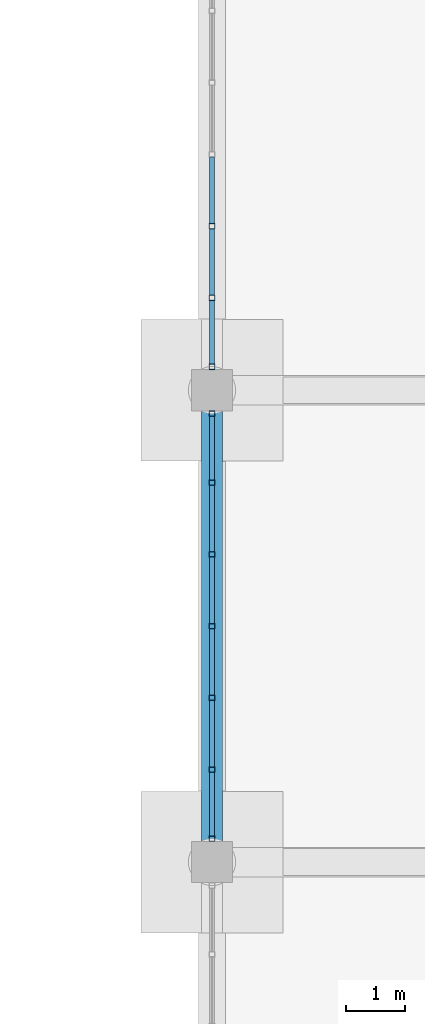
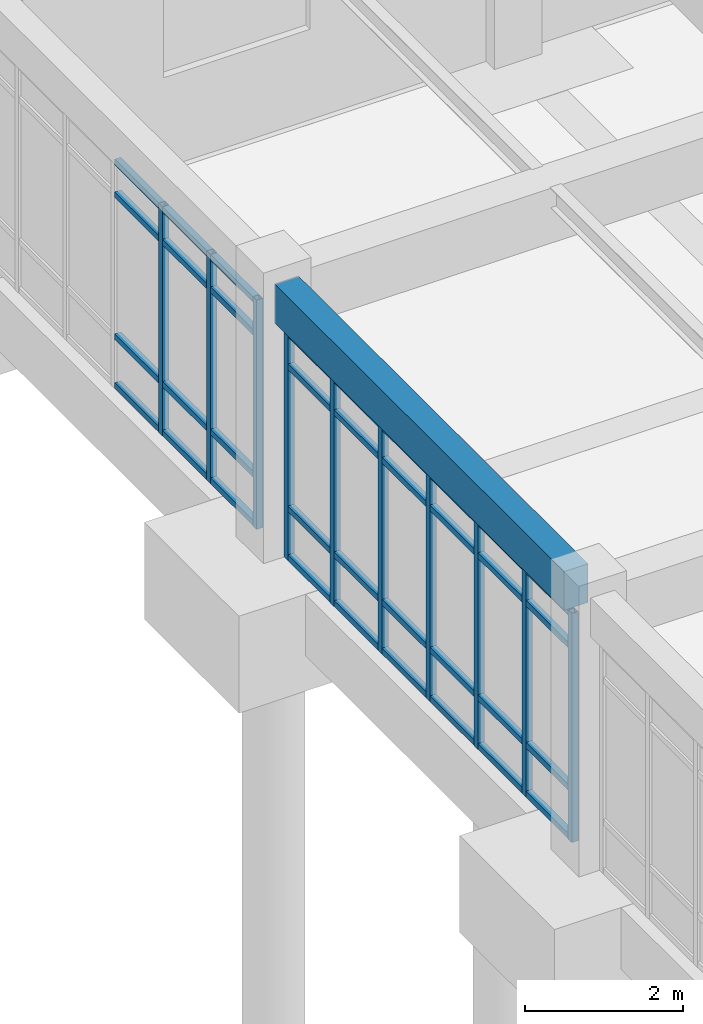
# One storey, part 99 of 153: 46 members, 1 beam, 2 elements without a shape of their own.
"""IFC4 building model written with IfcOpenShell, lengths in metres."""

import ifcopenshell
import ifcopenshell.guid

model = None  # the IFC model being written
_history = None  # IfcOwnerHistory: only IFC2X3 demands one
_inside = {}  # id of a spatial element -> (the spatial element, [elements in it])
_under = {}  # id of a project, library or spatial element -> (it, [spatial elements below it])
_declared = {}  # id of a project -> (the project, [libraries it declares])
_typed = {}  # id of a type object -> (the type object, [elements of that type])
_made_of = {}  # id of a material, layer set ... -> (it, [elements and type objects made of it])


def new_model(schema):
    """Start an empty IFC model of exactly this schema.

    Asked for "IFC4X3", IfcOpenShell would pick the latest addendum, in which some entities
    have other attributes; the version numbers below select the first issue.
    IFC2X3 requires an IfcOwnerHistory on every rooted entity: one is made here for all.
    """
    global model, _history
    if schema == "IFC4X3":
        model = ifcopenshell.file(schema_version=(4, 3, 0, 0))
    else:
        model = ifcopenshell.file(schema=schema)
    _inside.clear()
    _under.clear()
    _declared.clear()
    _typed.clear()
    _made_of.clear()
    _history = None
    if model.schema == "IFC2X3":
        org = make("IfcOrganization", Name="unknown")
        user = make(
            "IfcPersonAndOrganization",
            ThePerson=make("IfcPerson", FamilyName="unknown"),
            TheOrganization=org,
        )
        app = make(
            "IfcApplication",
            ApplicationDeveloper=org,
            Version="unknown",
            ApplicationFullName="unknown",
            ApplicationIdentifier="unknown",
        )
        _history = make(
            "IfcOwnerHistory",
            OwningUser=user,
            OwningApplication=app,
            ChangeAction="ADDED",
            CreationDate=0,
        )
    return model


def make(cls, **values):
    """One entity of the class cls with the attributes given. An attribute that is None is left unset."""
    return model.create_entity(
        cls, **{name: value for name, value in values.items() if value is not None}
    )


def rooted(cls, **values):
    """An entity with a GlobalId (a new one), such as an element, a storey or a relation."""
    return make(cls, GlobalId=ifcopenshell.guid.new(), OwnerHistory=_history, **values)


def si_unit(unit_type, name, prefix=None):
    """IfcSIUnit, for example si_unit("LENGTHUNIT", "METRE", prefix="MILLI")."""
    return make("IfcSIUnit", UnitType=unit_type, Prefix=prefix, Name=name)


def assignment(units):
    """IfcUnitAssignment: the units of a project."""
    return None if units is None else make("IfcUnitAssignment", Units=units)


def point(xyz):
    """IfcCartesianPoint."""
    return None if xyz is None else make("IfcCartesianPoint", Coordinates=xyz)


def direction(xyz):
    """IfcDirection."""
    return None if xyz is None else make("IfcDirection", DirectionRatios=xyz)


def frame(location, z_axis=None, x_axis=None):
    """IfcAxis2Placement3D, a coordinate frame: its origin and axes. An axis left out is left unset."""
    return make(
        "IfcAxis2Placement3D",
        Location=point(location),
        Axis=direction(z_axis),
        RefDirection=direction(x_axis),
    )


def frame_2d(location, x_axis=None):
    """IfcAxis2Placement2D, a coordinate frame in the plane: its origin and x axis."""
    return make(
        "IfcAxis2Placement2D", Location=point(location), RefDirection=direction(x_axis)
    )


def origin():
    """The frame at (0, 0, 0) with its axes left unset."""
    return frame((0.0, 0.0, 0.0))


def origin_2d():
    """The frame at (0, 0) in the plane with its x axis left unset."""
    return frame_2d((0.0, 0.0))


def place(relative_to, where):
    """IfcLocalPlacement: puts the frame where relative to a parent placement (None: the world)."""
    return make(
        "IfcLocalPlacement", PlacementRelTo=relative_to, RelativePlacement=where
    )


def context(
    kind, dimensions, precision=None, world=None, true_north=None, identifier=None
):
    """IfcGeometricRepresentationContext, for example the 3D "Model" context."""
    return make(
        "IfcGeometricRepresentationContext",
        ContextIdentifier=identifier,
        ContextType=kind,
        CoordinateSpaceDimension=dimensions,
        Precision=precision,
        WorldCoordinateSystem=world,
        TrueNorth=true_north,
    )


def subcontext(parent, identifier, kind, view, scale=None):
    """IfcGeometricRepresentationSubContext, for example "Body" below "Model"."""
    return make(
        "IfcGeometricRepresentationSubContext",
        ContextIdentifier=identifier,
        ContextType=kind,
        ParentContext=parent,
        TargetScale=scale,
        TargetView=view,
    )


def project(units=None, contexts=None):
    """IfcProject with its units and contexts."""
    return rooted(
        "IfcProject",
        Name="project",
        RepresentationContexts=contexts,
        UnitsInContext=assignment(units),
    )


def spatial(cls, under=None, at=None, **own):
    """A site, building, storey or space (cls), placed at a placement, below another one or the project."""
    s = rooted(cls, ObjectPlacement=at, **own)
    if under is not None:
        _under.setdefault(under.id(), (under, []))[1].append(s)
    return s


def profile(cls, at=None, kind="AREA", **sizes):
    """A parametric profile (cls). Its sizes go by their IFC names, for example OverallWidth=200.0."""
    return make(cls, ProfileType=kind, Position=at, **sizes)


def rectangle(**sizes):
    """IfcRectangleProfileDef."""
    return profile("IfcRectangleProfileDef", **sizes)


def hollow_rectangle(**sizes):
    """IfcRectangleHollowProfileDef."""
    return profile("IfcRectangleHollowProfileDef", **sizes)


def extrude(swept, where, along, depth):
    """IfcExtrudedAreaSolid: the profile swept, set in the frame where, extruded along a direction by depth."""
    return make(
        "IfcExtrudedAreaSolid",
        SweptArea=swept,
        Position=where,
        ExtrudedDirection=direction(along),
        Depth=depth,
    )


def shape(context_of_items, identifier, shape_type, items):
    """IfcShapeRepresentation: the items that make up one representation, for example the "Body"."""
    return make(
        "IfcShapeRepresentation",
        ContextOfItems=context_of_items,
        RepresentationIdentifier=identifier,
        RepresentationType=shape_type,
        Items=items,
    )


def material(Name=None, Category=None):
    """IfcMaterial."""
    return make("IfcMaterial", Name=Name, Category=Category)


def material_profile(
    of_material, cross_section, Name=None, Category=None, Priority=None
):
    """IfcMaterialProfile: a cross section and its material."""
    return make(
        "IfcMaterialProfile",
        Name=Name,
        Material=of_material,
        Profile=cross_section,
        Priority=Priority,
        Category=Category,
    )


def profile_set(profiles, Name=None, composite=None):
    """IfcMaterialProfileSet."""
    return make(
        "IfcMaterialProfileSet",
        Name=Name,
        MaterialProfiles=profiles,
        CompositeProfile=composite,
    )


def made_of(thing, what):
    """Note that an element or type object is made of a material, layer set ...; save() writes the relation."""
    if what is not None:
        _made_of.setdefault(what.id(), (what, []))[1].append(thing)
    return thing


def type_object(cls, material=None, **own):
    """A type object (cls), such as IfcWallType, which elements share."""
    return made_of(rooted(cls, **own), material)


def element(
    cls,
    number,
    at=None,
    inside=None,
    cuts=None,
    type_object=None,
    material=None,
    context=None,
    identifier="Body",
    shape_type=None,
    held_by="IfcProductDefinitionShape",
    body=None,
    shapes=None,
    **own,
):
    """One element of the class cls, such as IfcWall. Its Tag is "e" and its number.

    at: its placement. inside: the storey or other place that contains it. cuts: it is an
    opening in that element (IfcRelVoidsElement). A single representation is given by context,
    identifier, shape_type and body (its items); several are given by shapes. held_by: the class
    of the entity that holds the representations. save() writes the other relations.
    """
    e = rooted(cls, Tag="e%d" % number, ObjectPlacement=at, **own)
    if body is not None:
        shapes = [shape(context, identifier, shape_type, body)]
    if shapes is not None:
        e.Representation = make(held_by, Representations=shapes)
    if inside is not None:
        _inside.setdefault(inside.id(), (inside, []))[1].append(e)
    if cuts is not None:
        rooted(
            "IfcRelVoidsElement", RelatingBuildingElement=cuts, RelatedOpeningElement=e
        )
    if type_object is not None:
        _typed.setdefault(type_object.id(), (type_object, []))[1].append(e)
    return made_of(e, material)


def aggregate(whole, parts):
    """IfcRelAggregates: a whole, such as a stair, and the parts it consists of."""
    return rooted("IfcRelAggregates", RelatingObject=whole, RelatedObjects=parts)


def save(model, path):
    """Write the relations noted so far, then the file.

    IfcRelAggregates (storeys below a building ...), IfcRelContainedInSpatialStructure (elements
    in a storey), IfcRelDefinesByType, IfcRelAssociatesMaterial and IfcRelDeclares: one each for
    every whole, place, type object, material and project.
    """
    for whole, parts in _under.values():
        aggregate(whole, parts)
    for where, things in _inside.values():
        rooted(
            "IfcRelContainedInSpatialStructure",
            RelatedElements=things,
            RelatingStructure=where,
        )
    for kind, things in _typed.values():
        rooted("IfcRelDefinesByType", RelatedObjects=things, RelatingType=kind)
    for what, things in _made_of.values():
        rooted("IfcRelAssociatesMaterial", RelatedObjects=things, RelatingMaterial=what)
    for by, libraries in _declared.values():
        rooted("IfcRelDeclares", RelatingContext=by, RelatedDefinitions=libraries)
    model.write(path)


model = new_model("IFC4")

# Units and contexts
model_context = context("Model", 3, precision=1e-05, world=origin(), true_north=direction((0.0, 1.0)))
body_context = subcontext(model_context, "Body", "Model", "MODEL_VIEW")
ifc_project = project(units=[si_unit("LENGTHUNIT", "METRE"), si_unit("AREAUNIT", "SQUARE_METRE"), si_unit("VOLUMEUNIT", "CUBIC_METRE"), si_unit("PLANEANGLEUNIT", "RADIAN"), si_unit("MASSUNIT", "GRAM", prefix="KILO")], contexts=[model_context])

# Site, building, storey
site_placement = place(None, origin())
site = spatial("IfcSite", under=ifc_project, at=site_placement, CompositionType="ELEMENT")
building_placement = place(site_placement, origin())
building = spatial("IfcBuilding", under=site, at=building_placement, Name="Celadon Cloister-Ring School", CompositionType="ELEMENT")
storey_placement = place(building_placement, origin())
storey = spatial("IfcBuildingStorey", under=building, at=storey_placement, Name="L00", CompositionType="ELEMENT", Elevation=0.0)

# Beam
ifc_material_1 = material(Name="Concrete C35/45", Category="concrete")
ifc_material_profile_1 = material_profile(ifc_material_1, rectangle(XDim=0.35009765625, YDim=0.60009765625, at=origin_2d()), Name="RC350X600")
ifc_profile_set_1 = profile_set([ifc_material_profile_1], Name="Concrete C35/45")
beam_type = type_object("IfcBeamType", Name="BT-02", PredefinedType="BEAM", material=ifc_profile_set_1)
beam_placement = place(storey_placement, frame((142.0, 98.324951171875, 3.9599609375), z_axis=(0.0, 1.0, 0.0), x_axis=(-1.0, 0.0, 0.0)))
element("IfcBeam", 1, at=beam_placement, inside=storey, type_object=beam_type, Name="Beam 1135", PredefinedType="BEAM", context=body_context, shape_type="SweptSolid", body=[
    extrude(rectangle(XDim=0.35009765625, YDim=0.60009765625, at=origin_2d()), origin(), (0.0, 0.0, 1.0), 7.35009765625),
])

# Curtain wall, members
ifc_material_2 = material(Name="Aluminium EN AW-6063 T6", Category="aluminium")
curtain_wall_type = type_object("IfcCurtainWallType", Name="CW-07", PredefinedType="USERDEFINED", material=ifc_material_2)
curtain_wall_1_placement = place(storey_placement, origin())
curtain_wall_1 = element("IfcCurtainWall", 2, at=curtain_wall_1_placement, inside=storey, type_object=curtain_wall_type, Name="Curtain Wall 0178", ObjectType="CURTAIN WALL", PredefinedType="USERDEFINED")
ifc_material_3 = material(Name="Aluminium EN AW-6063 T6", Category="aluminium")
ifc_material_profile_2 = material_profile(ifc_material_3, hollow_rectangle(XDim=0.094970703125, YDim=0.094970703125, WallThickness=0.00390625, at=origin_2d()), Name="RHS95X95X4")
ifc_profile_set_2 = profile_set([ifc_material_profile_2], Name="Aluminium EN AW-6063 T6")
member_type_1 = type_object("IfcMemberType", Name="CM-02", PredefinedType="MULLION", material=ifc_profile_set_2)
member_1_placement = place(storey_placement, frame((142.0, 98.3974609375, 0.0), z_axis=(0.0, 0.0, 1.0), x_axis=(-1.0, 0.0, 0.0)))
member_1 = element("IfcMember", 3, at=member_1_placement, type_object=member_type_1, Name="CW-07 mullion 1", PredefinedType="MULLION", context=body_context, shape_type="SweptSolid", body=[
    extrude(hollow_rectangle(XDim=0.094970703125, YDim=0.094970703125, WallThickness=0.00390625, at=origin_2d()), origin(), (0.0, 0.0, 1.0), 3.550048828125),
])
member_2_placement = place(storey_placement, frame((142.0, 99.566650390625, 0.0), z_axis=(0.0, 0.0, 1.0), x_axis=(-1.0, 0.0, 0.0)))
member_2 = element("IfcMember", 4, at=member_2_placement, type_object=member_type_1, Name="CW-07 mullion 2", PredefinedType="MULLION", context=body_context, shape_type="SweptSolid", body=[
    extrude(hollow_rectangle(XDim=0.094970703125, YDim=0.094970703125, WallThickness=0.00390625, at=origin_2d()), origin(), (0.0, 0.0, 1.0), 3.550048828125),
])
member_3_placement = place(storey_placement, frame((142.0, 100.783447265625, 0.0), z_axis=(0.0, 0.0, 1.0), x_axis=(-1.0, 0.0, 0.0)))
member_3 = element("IfcMember", 5, at=member_3_placement, type_object=member_type_1, Name="CW-07 mullion 3", PredefinedType="MULLION", context=body_context, shape_type="SweptSolid", body=[
    extrude(hollow_rectangle(XDim=0.094970703125, YDim=0.094970703125, WallThickness=0.00390625, at=origin_2d()), origin(), (0.0, 0.0, 1.0), 3.550048828125),
])
member_4_placement = place(storey_placement, frame((142.0, 102.0, 0.0), z_axis=(0.0, 0.0, 1.0), x_axis=(-1.0, 0.0, 0.0)))
member_4 = element("IfcMember", 6, at=member_4_placement, type_object=member_type_1, Name="CW-07 mullion 4", PredefinedType="MULLION", context=body_context, shape_type="SweptSolid", body=[
    extrude(hollow_rectangle(XDim=0.094970703125, YDim=0.094970703125, WallThickness=0.00390625, at=origin_2d()), origin(), (0.0, 0.0, 1.0), 3.550048828125),
])
member_5_placement = place(storey_placement, frame((142.0, 103.216552734375, 0.0), z_axis=(0.0, 0.0, 1.0), x_axis=(-1.0, 0.0, 0.0)))
member_5 = element("IfcMember", 7, at=member_5_placement, type_object=member_type_1, Name="CW-07 mullion 5", PredefinedType="MULLION", context=body_context, shape_type="SweptSolid", body=[
    extrude(hollow_rectangle(XDim=0.094970703125, YDim=0.094970703125, WallThickness=0.00390625, at=origin_2d()), origin(), (0.0, 0.0, 1.0), 3.550048828125),
])
member_6_placement = place(storey_placement, frame((142.0, 104.433349609375, 0.0), z_axis=(0.0, 0.0, 1.0), x_axis=(-1.0, 0.0, 0.0)))
member_6 = element("IfcMember", 8, at=member_6_placement, type_object=member_type_1, Name="CW-07 mullion 6", PredefinedType="MULLION", context=body_context, shape_type="SweptSolid", body=[
    extrude(hollow_rectangle(XDim=0.094970703125, YDim=0.094970703125, WallThickness=0.00390625, at=origin_2d()), origin(), (0.0, 0.0, 1.0), 3.550048828125),
])
member_7_placement = place(storey_placement, frame((142.0, 105.6025390625, 0.0), z_axis=(0.0, 0.0, 1.0), x_axis=(-1.0, 0.0, 0.0)))
member_7 = element("IfcMember", 9, at=member_7_placement, type_object=member_type_1, Name="CW-07 mullion 7", PredefinedType="MULLION", context=body_context, shape_type="SweptSolid", body=[
    extrude(hollow_rectangle(XDim=0.094970703125, YDim=0.094970703125, WallThickness=0.00390625, at=origin_2d()), origin(), (0.0, 0.0, 1.0), 3.550048828125),
])

curtain_wall_2_placement = place(storey_placement, origin())
curtain_wall_2 = element("IfcCurtainWall", 10, at=curtain_wall_2_placement, inside=storey, type_object=curtain_wall_type, Name="Curtain Wall 0179", ObjectType="CURTAIN WALL", PredefinedType="USERDEFINED")
member_8_placement = place(storey_placement, frame((142.0, 106.3974609375, 0.0), z_axis=(0.0, 0.0, 1.0), x_axis=(-1.0, 0.0, 0.0)))
member_8 = element("IfcMember", 11, at=member_8_placement, type_object=member_type_1, Name="CW-07 mullion 1", PredefinedType="MULLION", context=body_context, shape_type="SweptSolid", body=[
    extrude(hollow_rectangle(XDim=0.094970703125, YDim=0.094970703125, WallThickness=0.00390625, at=origin_2d()), origin(), (0.0, 0.0, 1.0), 3.550048828125),
])
member_9_placement = place(storey_placement, frame((142.0, 107.566650390625, 0.0), z_axis=(0.0, 0.0, 1.0), x_axis=(-1.0, 0.0, 0.0)))
member_9 = element("IfcMember", 12, at=member_9_placement, type_object=member_type_1, Name="CW-07 mullion 2", PredefinedType="MULLION", context=body_context, shape_type="SweptSolid", body=[
    extrude(hollow_rectangle(XDim=0.094970703125, YDim=0.094970703125, WallThickness=0.00390625, at=origin_2d()), origin(), (0.0, 0.0, 1.0), 3.550048828125),
])
member_10_placement = place(storey_placement, frame((142.0, 108.783447265625, 0.0), z_axis=(0.0, 0.0, 1.0), x_axis=(-1.0, 0.0, 0.0)))
member_10 = element("IfcMember", 13, at=member_10_placement, type_object=member_type_1, Name="CW-07 mullion 3", PredefinedType="MULLION", context=body_context, shape_type="SweptSolid", body=[
    extrude(hollow_rectangle(XDim=0.094970703125, YDim=0.094970703125, WallThickness=0.00390625, at=origin_2d()), origin(), (0.0, 0.0, 1.0), 3.550048828125),
])

# Member
ifc_material_4 = material(Name="Aluminium EN AW-6063 T6", Category="aluminium")
ifc_material_profile_3 = material_profile(ifc_material_4, hollow_rectangle(XDim=0.090087890625, YDim=0.090087890625, WallThickness=0.00390625, at=origin_2d()), Name="RHS90X90X4")
ifc_profile_set_3 = profile_set([ifc_material_profile_3], Name="Aluminium EN AW-6063 T6")
member_type_2 = type_object("IfcMemberType", Name="CTM-02", PredefinedType="USERDEFINED", material=ifc_profile_set_3)
member_11_placement = place(storey_placement, frame((142.0, 98.445068359375, 0.044921875), z_axis=(0.0, 1.0, 0.0), x_axis=(-1.0, 0.0, 0.0)))
member_11 = element("IfcMember", 14, at=member_11_placement, type_object=member_type_2, Name="CW-07 transom 1.1", ObjectType="TRANSOM", PredefinedType="USERDEFINED", context=body_context, shape_type="SweptSolid", body=[
    extrude(hollow_rectangle(XDim=0.090087890625, YDim=0.090087890625, WallThickness=0.00390625, at=origin_2d()), origin(), (0.0, 0.0, 1.0), 1.07421875),
])

member_12_placement = place(storey_placement, frame((142.0, 98.445068359375, 0.800048828125), z_axis=(0.0, 1.0, 0.0), x_axis=(-1.0, 0.0, 0.0)))
member_12 = element("IfcMember", 15, at=member_12_placement, type_object=member_type_2, Name="CW-07 transom 1.2", ObjectType="TRANSOM", PredefinedType="USERDEFINED", context=body_context, shape_type="SweptSolid", body=[
    extrude(hollow_rectangle(XDim=0.090087890625, YDim=0.090087890625, WallThickness=0.00390625, at=origin_2d()), origin(), (0.0, 0.0, 1.0), 1.07421875),
])

member_13_placement = place(storey_placement, frame((142.0, 98.445068359375, 3.0), z_axis=(0.0, 1.0, 0.0), x_axis=(-1.0, 0.0, 0.0)))
member_13 = element("IfcMember", 16, at=member_13_placement, type_object=member_type_2, Name="CW-07 transom 1.3", ObjectType="TRANSOM", PredefinedType="USERDEFINED", context=body_context, shape_type="SweptSolid", body=[
    extrude(hollow_rectangle(XDim=0.090087890625, YDim=0.090087890625, WallThickness=0.00390625, at=origin_2d()), origin(), (0.0, 0.0, 1.0), 1.07421875),
])

member_14_placement = place(storey_placement, frame((142.0, 98.445068359375, 3.5048828125), z_axis=(0.0, 1.0, 0.0), x_axis=(-1.0, 0.0, 0.0)))
member_14 = element("IfcMember", 17, at=member_14_placement, type_object=member_type_2, Name="CW-07 transom 1.4", ObjectType="TRANSOM", PredefinedType="USERDEFINED", context=body_context, shape_type="SweptSolid", body=[
    extrude(hollow_rectangle(XDim=0.090087890625, YDim=0.090087890625, WallThickness=0.00390625, at=origin_2d()), origin(), (0.0, 0.0, 1.0), 1.07421875),
])

member_15_placement = place(storey_placement, frame((142.0, 99.6142578125, 0.044921875), z_axis=(0.0, 1.0, 0.0), x_axis=(-1.0, 0.0, 0.0)))
member_15 = element("IfcMember", 18, at=member_15_placement, type_object=member_type_2, Name="CW-07 transom 2.1", ObjectType="TRANSOM", PredefinedType="USERDEFINED", context=body_context, shape_type="SweptSolid", body=[
    extrude(hollow_rectangle(XDim=0.090087890625, YDim=0.090087890625, WallThickness=0.00390625, at=origin_2d()), origin(), (0.0, 0.0, 1.0), 1.12158203125),
])

member_16_placement = place(storey_placement, frame((142.0, 99.6142578125, 0.800048828125), z_axis=(0.0, 1.0, 0.0), x_axis=(-1.0, 0.0, 0.0)))
member_16 = element("IfcMember", 19, at=member_16_placement, type_object=member_type_2, Name="CW-07 transom 2.2", ObjectType="TRANSOM", PredefinedType="USERDEFINED", context=body_context, shape_type="SweptSolid", body=[
    extrude(hollow_rectangle(XDim=0.090087890625, YDim=0.090087890625, WallThickness=0.00390625, at=origin_2d()), origin(), (0.0, 0.0, 1.0), 1.12158203125),
])

member_17_placement = place(storey_placement, frame((142.0, 99.6142578125, 3.0), z_axis=(0.0, 1.0, 0.0), x_axis=(-1.0, 0.0, 0.0)))
member_17 = element("IfcMember", 20, at=member_17_placement, type_object=member_type_2, Name="CW-07 transom 2.3", ObjectType="TRANSOM", PredefinedType="USERDEFINED", context=body_context, shape_type="SweptSolid", body=[
    extrude(hollow_rectangle(XDim=0.090087890625, YDim=0.090087890625, WallThickness=0.00390625, at=origin_2d()), origin(), (0.0, 0.0, 1.0), 1.12158203125),
])

member_18_placement = place(storey_placement, frame((142.0, 99.6142578125, 3.5048828125), z_axis=(0.0, 1.0, 0.0), x_axis=(-1.0, 0.0, 0.0)))
member_18 = element("IfcMember", 21, at=member_18_placement, type_object=member_type_2, Name="CW-07 transom 2.4", ObjectType="TRANSOM", PredefinedType="USERDEFINED", context=body_context, shape_type="SweptSolid", body=[
    extrude(hollow_rectangle(XDim=0.090087890625, YDim=0.090087890625, WallThickness=0.00390625, at=origin_2d()), origin(), (0.0, 0.0, 1.0), 1.12158203125),
])

member_19_placement = place(storey_placement, frame((142.0, 100.830810546875, 0.044921875), z_axis=(0.0, 1.0, 0.0), x_axis=(-1.0, 0.0, 0.0)))
member_19 = element("IfcMember", 22, at=member_19_placement, type_object=member_type_2, Name="CW-07 transom 3.1", ObjectType="TRANSOM", PredefinedType="USERDEFINED", context=body_context, shape_type="SweptSolid", body=[
    extrude(hollow_rectangle(XDim=0.090087890625, YDim=0.090087890625, WallThickness=0.00390625, at=origin_2d()), origin(), (0.0, 0.0, 1.0), 1.12158203125),
])

member_20_placement = place(storey_placement, frame((142.0, 100.830810546875, 0.800048828125), z_axis=(0.0, 1.0, 0.0), x_axis=(-1.0, 0.0, 0.0)))
member_20 = element("IfcMember", 23, at=member_20_placement, type_object=member_type_2, Name="CW-07 transom 3.2", ObjectType="TRANSOM", PredefinedType="USERDEFINED", context=body_context, shape_type="SweptSolid", body=[
    extrude(hollow_rectangle(XDim=0.090087890625, YDim=0.090087890625, WallThickness=0.00390625, at=origin_2d()), origin(), (0.0, 0.0, 1.0), 1.12158203125),
])

member_21_placement = place(storey_placement, frame((142.0, 100.830810546875, 3.0), z_axis=(0.0, 1.0, 0.0), x_axis=(-1.0, 0.0, 0.0)))
member_21 = element("IfcMember", 24, at=member_21_placement, type_object=member_type_2, Name="CW-07 transom 3.3", ObjectType="TRANSOM", PredefinedType="USERDEFINED", context=body_context, shape_type="SweptSolid", body=[
    extrude(hollow_rectangle(XDim=0.090087890625, YDim=0.090087890625, WallThickness=0.00390625, at=origin_2d()), origin(), (0.0, 0.0, 1.0), 1.12158203125),
])

member_22_placement = place(storey_placement, frame((142.0, 100.830810546875, 3.5048828125), z_axis=(0.0, 1.0, 0.0), x_axis=(-1.0, 0.0, 0.0)))
member_22 = element("IfcMember", 25, at=member_22_placement, type_object=member_type_2, Name="CW-07 transom 3.4", ObjectType="TRANSOM", PredefinedType="USERDEFINED", context=body_context, shape_type="SweptSolid", body=[
    extrude(hollow_rectangle(XDim=0.090087890625, YDim=0.090087890625, WallThickness=0.00390625, at=origin_2d()), origin(), (0.0, 0.0, 1.0), 1.12158203125),
])

member_23_placement = place(storey_placement, frame((142.0, 102.047607421875, 0.044921875), z_axis=(0.0, 1.0, 0.0), x_axis=(-1.0, 0.0, 0.0)))
member_23 = element("IfcMember", 26, at=member_23_placement, type_object=member_type_2, Name="CW-07 transom 4.1", ObjectType="TRANSOM", PredefinedType="USERDEFINED", context=body_context, shape_type="SweptSolid", body=[
    extrude(hollow_rectangle(XDim=0.090087890625, YDim=0.090087890625, WallThickness=0.00390625, at=origin_2d()), origin(), (0.0, 0.0, 1.0), 1.12158203125),
])

member_24_placement = place(storey_placement, frame((142.0, 102.047607421875, 0.800048828125), z_axis=(0.0, 1.0, 0.0), x_axis=(-1.0, 0.0, 0.0)))
member_24 = element("IfcMember", 27, at=member_24_placement, type_object=member_type_2, Name="CW-07 transom 4.2", ObjectType="TRANSOM", PredefinedType="USERDEFINED", context=body_context, shape_type="SweptSolid", body=[
    extrude(hollow_rectangle(XDim=0.090087890625, YDim=0.090087890625, WallThickness=0.00390625, at=origin_2d()), origin(), (0.0, 0.0, 1.0), 1.12158203125),
])

member_25_placement = place(storey_placement, frame((142.0, 102.047607421875, 3.0), z_axis=(0.0, 1.0, 0.0), x_axis=(-1.0, 0.0, 0.0)))
member_25 = element("IfcMember", 28, at=member_25_placement, type_object=member_type_2, Name="CW-07 transom 4.3", ObjectType="TRANSOM", PredefinedType="USERDEFINED", context=body_context, shape_type="SweptSolid", body=[
    extrude(hollow_rectangle(XDim=0.090087890625, YDim=0.090087890625, WallThickness=0.00390625, at=origin_2d()), origin(), (0.0, 0.0, 1.0), 1.12158203125),
])

member_26_placement = place(storey_placement, frame((142.0, 102.047607421875, 3.5048828125), z_axis=(0.0, 1.0, 0.0), x_axis=(-1.0, 0.0, 0.0)))
member_26 = element("IfcMember", 29, at=member_26_placement, type_object=member_type_2, Name="CW-07 transom 4.4", ObjectType="TRANSOM", PredefinedType="USERDEFINED", context=body_context, shape_type="SweptSolid", body=[
    extrude(hollow_rectangle(XDim=0.090087890625, YDim=0.090087890625, WallThickness=0.00390625, at=origin_2d()), origin(), (0.0, 0.0, 1.0), 1.12158203125),
])

member_27_placement = place(storey_placement, frame((142.0, 103.26416015625, 0.044921875), z_axis=(0.0, 1.0, 0.0), x_axis=(-1.0, 0.0, 0.0)))
member_27 = element("IfcMember", 30, at=member_27_placement, type_object=member_type_2, Name="CW-07 transom 5.1", ObjectType="TRANSOM", PredefinedType="USERDEFINED", context=body_context, shape_type="SweptSolid", body=[
    extrude(hollow_rectangle(XDim=0.090087890625, YDim=0.090087890625, WallThickness=0.00390625, at=origin_2d()), origin(), (0.0, 0.0, 1.0), 1.12158203125),
])

member_28_placement = place(storey_placement, frame((142.0, 103.26416015625, 0.800048828125), z_axis=(0.0, 1.0, 0.0), x_axis=(-1.0, 0.0, 0.0)))
member_28 = element("IfcMember", 31, at=member_28_placement, type_object=member_type_2, Name="CW-07 transom 5.2", ObjectType="TRANSOM", PredefinedType="USERDEFINED", context=body_context, shape_type="SweptSolid", body=[
    extrude(hollow_rectangle(XDim=0.090087890625, YDim=0.090087890625, WallThickness=0.00390625, at=origin_2d()), origin(), (0.0, 0.0, 1.0), 1.12158203125),
])

member_29_placement = place(storey_placement, frame((142.0, 103.26416015625, 3.0), z_axis=(0.0, 1.0, 0.0), x_axis=(-1.0, 0.0, 0.0)))
member_29 = element("IfcMember", 32, at=member_29_placement, type_object=member_type_2, Name="CW-07 transom 5.3", ObjectType="TRANSOM", PredefinedType="USERDEFINED", context=body_context, shape_type="SweptSolid", body=[
    extrude(hollow_rectangle(XDim=0.090087890625, YDim=0.090087890625, WallThickness=0.00390625, at=origin_2d()), origin(), (0.0, 0.0, 1.0), 1.12158203125),
])

member_30_placement = place(storey_placement, frame((142.0, 103.26416015625, 3.5048828125), z_axis=(0.0, 1.0, 0.0), x_axis=(-1.0, 0.0, 0.0)))
member_30 = element("IfcMember", 33, at=member_30_placement, type_object=member_type_2, Name="CW-07 transom 5.4", ObjectType="TRANSOM", PredefinedType="USERDEFINED", context=body_context, shape_type="SweptSolid", body=[
    extrude(hollow_rectangle(XDim=0.090087890625, YDim=0.090087890625, WallThickness=0.00390625, at=origin_2d()), origin(), (0.0, 0.0, 1.0), 1.12158203125),
])

member_31_placement = place(storey_placement, frame((142.0, 104.480712890625, 0.044921875), z_axis=(0.0, 1.0, 0.0), x_axis=(-1.0, 0.0, 0.0)))
member_31 = element("IfcMember", 34, at=member_31_placement, type_object=member_type_2, Name="CW-07 transom 6.1", ObjectType="TRANSOM", PredefinedType="USERDEFINED", context=body_context, shape_type="SweptSolid", body=[
    extrude(hollow_rectangle(XDim=0.090087890625, YDim=0.090087890625, WallThickness=0.00390625, at=origin_2d()), origin(), (0.0, 0.0, 1.0), 1.07421875),
])

member_32_placement = place(storey_placement, frame((142.0, 104.480712890625, 0.800048828125), z_axis=(0.0, 1.0, 0.0), x_axis=(-1.0, 0.0, 0.0)))
member_32 = element("IfcMember", 35, at=member_32_placement, type_object=member_type_2, Name="CW-07 transom 6.2", ObjectType="TRANSOM", PredefinedType="USERDEFINED", context=body_context, shape_type="SweptSolid", body=[
    extrude(hollow_rectangle(XDim=0.090087890625, YDim=0.090087890625, WallThickness=0.00390625, at=origin_2d()), origin(), (0.0, 0.0, 1.0), 1.07421875),
])

member_33_placement = place(storey_placement, frame((142.0, 104.480712890625, 3.0), z_axis=(0.0, 1.0, 0.0), x_axis=(-1.0, 0.0, 0.0)))
member_33 = element("IfcMember", 36, at=member_33_placement, type_object=member_type_2, Name="CW-07 transom 6.3", ObjectType="TRANSOM", PredefinedType="USERDEFINED", context=body_context, shape_type="SweptSolid", body=[
    extrude(hollow_rectangle(XDim=0.090087890625, YDim=0.090087890625, WallThickness=0.00390625, at=origin_2d()), origin(), (0.0, 0.0, 1.0), 1.07421875),
])

member_34_placement = place(storey_placement, frame((142.0, 104.480712890625, 3.5048828125), z_axis=(0.0, 1.0, 0.0), x_axis=(-1.0, 0.0, 0.0)))
member_34 = element("IfcMember", 37, at=member_34_placement, type_object=member_type_2, Name="CW-07 transom 6.4", ObjectType="TRANSOM", PredefinedType="USERDEFINED", context=body_context, shape_type="SweptSolid", body=[
    extrude(hollow_rectangle(XDim=0.090087890625, YDim=0.090087890625, WallThickness=0.00390625, at=origin_2d()), origin(), (0.0, 0.0, 1.0), 1.07421875),
])

aggregate(curtain_wall_1, [member_1, member_2, member_3, member_4, member_5, member_6, member_7, member_11, member_12, member_13, member_14, member_15, member_16, member_17, member_18, member_19, member_20, member_21, member_22, member_23, member_24, member_25, member_26, member_27, member_28, member_29, member_30, member_31, member_32, member_33, member_34])

member_35_placement = place(storey_placement, frame((142.0, 106.445068359375, 0.044921875), z_axis=(0.0, 1.0, 0.0), x_axis=(-1.0, 0.0, 0.0)))
member_35 = element("IfcMember", 38, at=member_35_placement, type_object=member_type_2, Name="CW-07 transom 1.1", ObjectType="TRANSOM", PredefinedType="USERDEFINED", context=body_context, shape_type="SweptSolid", body=[
    extrude(hollow_rectangle(XDim=0.090087890625, YDim=0.090087890625, WallThickness=0.00390625, at=origin_2d()), origin(), (0.0, 0.0, 1.0), 1.07421875),
])

member_36_placement = place(storey_placement, frame((142.0, 106.445068359375, 0.800048828125), z_axis=(0.0, 1.0, 0.0), x_axis=(-1.0, 0.0, 0.0)))
member_36 = element("IfcMember", 39, at=member_36_placement, type_object=member_type_2, Name="CW-07 transom 1.2", ObjectType="TRANSOM", PredefinedType="USERDEFINED", context=body_context, shape_type="SweptSolid", body=[
    extrude(hollow_rectangle(XDim=0.090087890625, YDim=0.090087890625, WallThickness=0.00390625, at=origin_2d()), origin(), (0.0, 0.0, 1.0), 1.07421875),
])

member_37_placement = place(storey_placement, frame((142.0, 106.445068359375, 3.0), z_axis=(0.0, 1.0, 0.0), x_axis=(-1.0, 0.0, 0.0)))
member_37 = element("IfcMember", 40, at=member_37_placement, type_object=member_type_2, Name="CW-07 transom 1.3", ObjectType="TRANSOM", PredefinedType="USERDEFINED", context=body_context, shape_type="SweptSolid", body=[
    extrude(hollow_rectangle(XDim=0.090087890625, YDim=0.090087890625, WallThickness=0.00390625, at=origin_2d()), origin(), (0.0, 0.0, 1.0), 1.07421875),
])

member_38_placement = place(storey_placement, frame((142.0, 106.445068359375, 3.5048828125), z_axis=(0.0, 1.0, 0.0), x_axis=(-1.0, 0.0, 0.0)))
member_38 = element("IfcMember", 41, at=member_38_placement, type_object=member_type_2, Name="CW-07 transom 1.4", ObjectType="TRANSOM", PredefinedType="USERDEFINED", context=body_context, shape_type="SweptSolid", body=[
    extrude(hollow_rectangle(XDim=0.090087890625, YDim=0.090087890625, WallThickness=0.00390625, at=origin_2d()), origin(), (0.0, 0.0, 1.0), 1.07421875),
])

member_39_placement = place(storey_placement, frame((142.0, 107.6142578125, 0.044921875), z_axis=(0.0, 1.0, 0.0), x_axis=(-1.0, 0.0, 0.0)))
member_39 = element("IfcMember", 42, at=member_39_placement, type_object=member_type_2, Name="CW-07 transom 2.1", ObjectType="TRANSOM", PredefinedType="USERDEFINED", context=body_context, shape_type="SweptSolid", body=[
    extrude(hollow_rectangle(XDim=0.090087890625, YDim=0.090087890625, WallThickness=0.00390625, at=origin_2d()), origin(), (0.0, 0.0, 1.0), 1.12158203125),
])

member_40_placement = place(storey_placement, frame((142.0, 107.6142578125, 0.800048828125), z_axis=(0.0, 1.0, 0.0), x_axis=(-1.0, 0.0, 0.0)))
member_40 = element("IfcMember", 43, at=member_40_placement, type_object=member_type_2, Name="CW-07 transom 2.2", ObjectType="TRANSOM", PredefinedType="USERDEFINED", context=body_context, shape_type="SweptSolid", body=[
    extrude(hollow_rectangle(XDim=0.090087890625, YDim=0.090087890625, WallThickness=0.00390625, at=origin_2d()), origin(), (0.0, 0.0, 1.0), 1.12158203125),
])

member_41_placement = place(storey_placement, frame((142.0, 107.6142578125, 3.0), z_axis=(0.0, 1.0, 0.0), x_axis=(-1.0, 0.0, 0.0)))
member_41 = element("IfcMember", 44, at=member_41_placement, type_object=member_type_2, Name="CW-07 transom 2.3", ObjectType="TRANSOM", PredefinedType="USERDEFINED", context=body_context, shape_type="SweptSolid", body=[
    extrude(hollow_rectangle(XDim=0.090087890625, YDim=0.090087890625, WallThickness=0.00390625, at=origin_2d()), origin(), (0.0, 0.0, 1.0), 1.12158203125),
])

member_42_placement = place(storey_placement, frame((142.0, 107.6142578125, 3.5048828125), z_axis=(0.0, 1.0, 0.0), x_axis=(-1.0, 0.0, 0.0)))
member_42 = element("IfcMember", 45, at=member_42_placement, type_object=member_type_2, Name="CW-07 transom 2.4", ObjectType="TRANSOM", PredefinedType="USERDEFINED", context=body_context, shape_type="SweptSolid", body=[
    extrude(hollow_rectangle(XDim=0.090087890625, YDim=0.090087890625, WallThickness=0.00390625, at=origin_2d()), origin(), (0.0, 0.0, 1.0), 1.12158203125),
])

member_43_placement = place(storey_placement, frame((142.0, 108.830810546875, 0.044921875), z_axis=(0.0, 1.0, 0.0), x_axis=(-1.0, 0.0, 0.0)))
member_43 = element("IfcMember", 46, at=member_43_placement, type_object=member_type_2, Name="CW-07 transom 3.1", ObjectType="TRANSOM", PredefinedType="USERDEFINED", context=body_context, shape_type="SweptSolid", body=[
    extrude(hollow_rectangle(XDim=0.090087890625, YDim=0.090087890625, WallThickness=0.00390625, at=origin_2d()), origin(), (0.0, 0.0, 1.0), 1.12158203125),
])

member_44_placement = place(storey_placement, frame((142.0, 108.830810546875, 0.800048828125), z_axis=(0.0, 1.0, 0.0), x_axis=(-1.0, 0.0, 0.0)))
member_44 = element("IfcMember", 47, at=member_44_placement, type_object=member_type_2, Name="CW-07 transom 3.2", ObjectType="TRANSOM", PredefinedType="USERDEFINED", context=body_context, shape_type="SweptSolid", body=[
    extrude(hollow_rectangle(XDim=0.090087890625, YDim=0.090087890625, WallThickness=0.00390625, at=origin_2d()), origin(), (0.0, 0.0, 1.0), 1.12158203125),
])

member_45_placement = place(storey_placement, frame((142.0, 108.830810546875, 3.0), z_axis=(0.0, 1.0, 0.0), x_axis=(-1.0, 0.0, 0.0)))
member_45 = element("IfcMember", 48, at=member_45_placement, type_object=member_type_2, Name="CW-07 transom 3.3", ObjectType="TRANSOM", PredefinedType="USERDEFINED", context=body_context, shape_type="SweptSolid", body=[
    extrude(hollow_rectangle(XDim=0.090087890625, YDim=0.090087890625, WallThickness=0.00390625, at=origin_2d()), origin(), (0.0, 0.0, 1.0), 1.12158203125),
])

member_46_placement = place(storey_placement, frame((142.0, 108.830810546875, 3.5048828125), z_axis=(0.0, 1.0, 0.0), x_axis=(-1.0, 0.0, 0.0)))
member_46 = element("IfcMember", 49, at=member_46_placement, type_object=member_type_2, Name="CW-07 transom 3.4", ObjectType="TRANSOM", PredefinedType="USERDEFINED", context=body_context, shape_type="SweptSolid", body=[
    extrude(hollow_rectangle(XDim=0.090087890625, YDim=0.090087890625, WallThickness=0.00390625, at=origin_2d()), origin(), (0.0, 0.0, 1.0), 1.12158203125),
])

aggregate(curtain_wall_2, [member_8, member_9, member_10, member_35, member_36, member_37, member_38, member_39, member_40, member_41, member_42, member_43, member_44, member_45, member_46])

save(model, "model.ifc")
